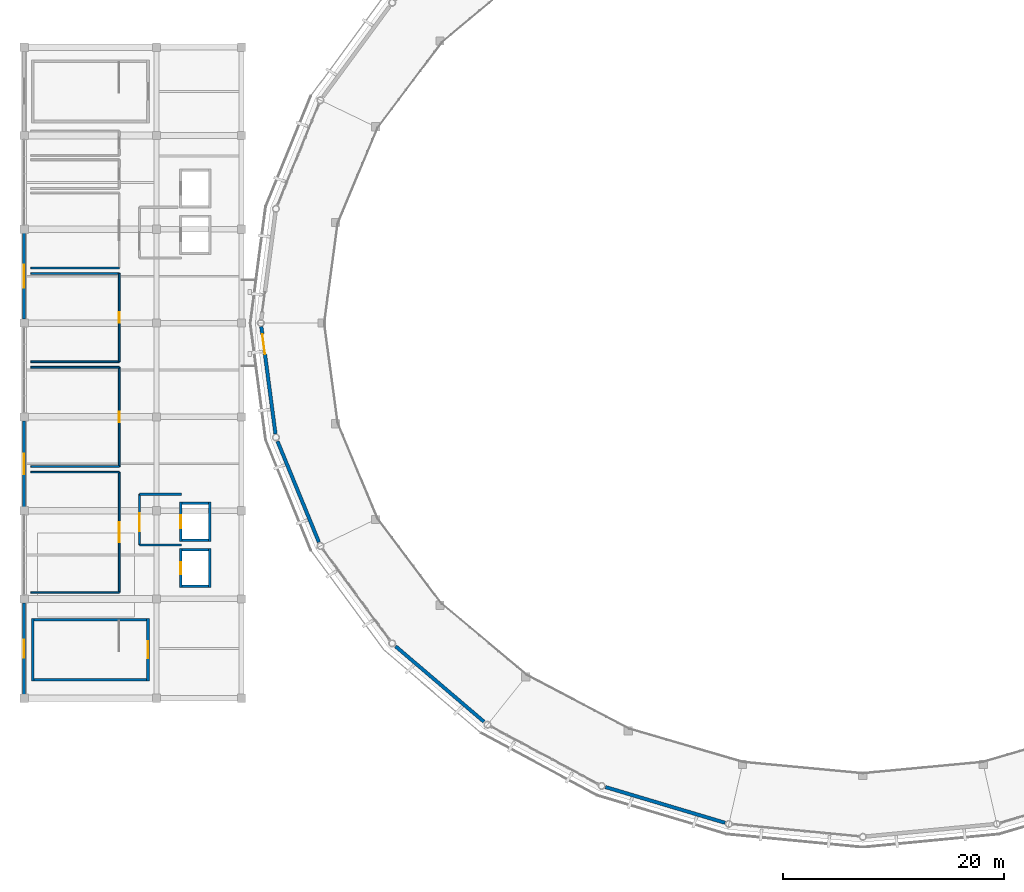
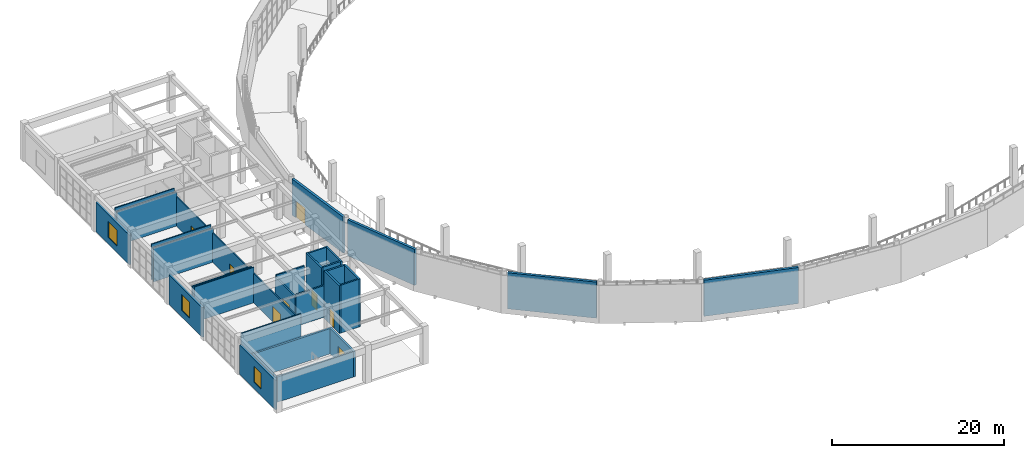
# One storey, part 30 of 40: 32 walls, 8 doors, 3 windows, 11 openings.
"""IFC4 building model written with IfcOpenShell, lengths in metres."""

from ifc_helpers import new_model, si_unit, direction, frame, frame_2d, origin, place, context, subcontext, project, spatial, rectangle, extrude, material, layer, layer_set, type_object, element, fill, save


model = new_model("IFC4")

# Units and contexts
model_context = context("Model", 3, precision=1e-05, world=origin(), true_north=direction((0.0, 1.0)))
body_context = subcontext(model_context, "Body", "Model", "MODEL_VIEW")
ifc_project = project(units=[si_unit("LENGTHUNIT", "METRE"), si_unit("AREAUNIT", "SQUARE_METRE"), si_unit("VOLUMEUNIT", "CUBIC_METRE"), si_unit("PLANEANGLEUNIT", "RADIAN"), si_unit("MASSUNIT", "GRAM", prefix="KILO")], contexts=[model_context])

# Site, building, storey
site_placement = place(None, origin())
site = spatial("IfcSite", under=ifc_project, at=site_placement, CompositionType="ELEMENT")
building_placement = place(site_placement, origin())
building = spatial("IfcBuilding", under=site, at=building_placement, Name="Cuetzalor Civic Arena", CompositionType="ELEMENT")
storey_placement = place(building_placement, frame((0.0, 0.0, 26.39990234375)))
storey = spatial("IfcBuildingStorey", under=building, at=storey_placement, Name="L05", CompositionType="ELEMENT", Elevation=26.39990234375)

# Walls
ifc_material_1 = material(Name="Acoustic steel-stud gypsum partition", Category="steel")
ifc_layer_1 = layer(ifc_material_1, 0.14990234375)
ifc_layer_set_1 = layer_set([ifc_layer_1], Name="Acoustic steel-stud gypsum partition")
wall_type_1 = type_object("IfcWallType", Name="AcousticGypsumPartition_150", PredefinedType="PARTITIONING", material=ifc_layer_set_1)
for number, where, z_axis, x_axis, name in (
    (1, (-75.39990234375, -13.5, 0.0), (0.0, 0.0, 1.0), (1.0, 0.0, 0.0), "Interior Partition IWALL:L05:0541"),
    (2, (-67.3798828125, -24.39990234375, 0.0), (0.0, 0.0, 1.0), (-1.0, 0.0, 0.0), "Interior Partition IWALL:L05:0542"),
):
    element("IfcWall", number, at=place(storey_placement, frame(where, z_axis=z_axis, x_axis=x_axis)), inside=storey, type_object=wall_type_1, Name=name, PredefinedType="PARTITIONING", context=body_context, shape_type="SweptSolid", body=[
        extrude(rectangle(XDim=8.02001953125, YDim=0.14990234375, at=frame_2d((4.010009765625, 0.0))), origin(), (0.0, 0.0, 1.0), 5.0400390625),
    ])

# Wall, opening, door
wall_1_placement = place(storey_placement, frame((-67.3798828125, -13.5, 0.0), z_axis=(0.0, 0.0, 1.0), x_axis=(0.0, -1.0, 0.0)))
wall_1 = element("IfcWall", 3, at=wall_1_placement, inside=storey, type_object=wall_type_1, Name="Interior Partition IWALL:L05:0543", PredefinedType="PARTITIONING", context=body_context, shape_type="SweptSolid", body=[
    extrude(rectangle(XDim=10.89990234375, YDim=0.14990234375, at=frame_2d((5.449951171875, 0.0))), origin(), (0.0, 0.0, 1.0), 4.205078125),
])
opening_1_placement = place(wall_1_placement, frame((4.550048828125, 0.0, 0.0)))
opening_1 = element("IfcOpeningElement", 4, at=opening_1_placement, cuts=wall_1, Name="Opening ID-06", PredefinedType="OPENING", context=body_context, shape_type="SweptSolid", body=[
    extrude(rectangle(XDim=1.800048828125, YDim=2.199951171875, at=frame_2d((0.89990234375, 1.10009765625))), frame((0.0, 0.0849609375, 0.0), z_axis=(0.0, -1.0, 0.0), x_axis=(1.0, 0.0, 0.0)), (0.0, 0.0, 1.0), 0.169921875),
])
ifc_material_2 = material(Name="Glazed bronze acoustic double door", Category="metal")
door_type_1 = type_object("IfcDoorType", Name="PublicDoubleDoor_1800x2200", OperationType="DOUBLE_DOOR_SINGLE_SWING", PredefinedType="DOOR", material=ifc_material_2)
door_1_placement = place(opening_1_placement, origin())
door_1 = element("IfcDoor", 5, at=door_1_placement, inside=storey, type_object=door_type_1, Name="Door to Media Workroom West L05", OperationType="DOUBLE_DOOR_SINGLE_SWING", OverallHeight=2.199951171875, OverallWidth=1.800048828125, PredefinedType="DOOR", context=body_context, shape_type="SweptSolid", body=[
    extrude(rectangle(XDim=1.800048828125, YDim=2.199951171875, at=frame_2d((0.89990234375, 1.10009765625))), frame((0.0, 0.02490234375, 0.0), z_axis=(0.0, -1.0, 0.0), x_axis=(1.0, 0.0, 0.0)), (0.0, 0.0, 1.0), 0.050048828125),
])
fill(opening_1, door_1)

# Walls
for number, where, z_axis, x_axis, name in (
    (6, (-75.39990234375, -4.0, 0.0), (0.0, 0.0, 1.0), (1.0, 0.0, 0.0), "Interior Partition IWALL:L05:0544"),
    (7, (-67.3798828125, -13.0, 0.0), (0.0, 0.0, 1.0), (-1.0, 0.0, 0.0), "Interior Partition IWALL:L05:0545"),
):
    element("IfcWall", number, at=place(storey_placement, frame(where, z_axis=z_axis, x_axis=x_axis)), inside=storey, type_object=wall_type_1, Name=name, PredefinedType="PARTITIONING", context=body_context, shape_type="SweptSolid", body=[
        extrude(rectangle(XDim=8.02001953125, YDim=0.14990234375, at=frame_2d((4.010009765625, 0.0))), origin(), (0.0, 0.0, 1.0), 4.842041015625),
    ])

# Wall, opening, door
wall_2_placement = place(storey_placement, frame((-67.3798828125, -4.0, 0.0), z_axis=(0.0, 0.0, 1.0), x_axis=(0.0, -1.0, 0.0)))
wall_2 = element("IfcWall", 8, at=wall_2_placement, inside=storey, type_object=wall_type_1, Name="Interior Partition IWALL:L05:0546", PredefinedType="PARTITIONING", context=body_context, shape_type="SweptSolid", body=[
    extrude(rectangle(XDim=9.0, YDim=0.14990234375, at=frame_2d((4.5, 0.0))), origin(), (0.0, 0.0, 1.0), 4.205078125),
])
opening_2_placement = place(wall_2_placement, frame((4.02490234375, 0.0, 0.0)))
opening_2 = element("IfcOpeningElement", 9, at=opening_2_placement, cuts=wall_2, Name="Opening ID-03", PredefinedType="OPENING", context=body_context, shape_type="SweptSolid", body=[
    extrude(rectangle(XDim=0.949951171875, YDim=2.14990234375, at=frame_2d((0.47509765625, 1.074951171875))), frame((0.0, 0.0849609375, 0.0), z_axis=(0.0, -1.0, 0.0), x_axis=(1.0, 0.0, 0.0)), (0.0, 0.0, 1.0), 0.169921875),
])
ifc_material_3 = material(Name="Painted steel frame and solid timber leaf", Category="steel")
door_type_2 = type_object("IfcDoorType", Name="InteriorSingleDoor_950x2150", OperationType="NOTDEFINED", PredefinedType="DOOR", material=ifc_material_3)
door_2_placement = place(opening_2_placement, origin())
door_2 = element("IfcDoor", 10, at=door_2_placement, inside=storey, type_object=door_type_2, Name="Door to Broadcast Studio West A L05", OperationType="SINGLE_SWING_LEFT", OverallHeight=2.14990234375, OverallWidth=0.949951171875, PredefinedType="DOOR", context=body_context, shape_type="SweptSolid", body=[
    extrude(rectangle(XDim=0.949951171875, YDim=2.14990234375, at=frame_2d((0.47509765625, 1.074951171875))), frame((0.0, 0.02490234375, 0.0), z_axis=(0.0, -1.0, 0.0), x_axis=(1.0, 0.0, 0.0)), (0.0, 0.0, 1.0), 0.050048828125),
])
fill(opening_2, door_2)

# Walls
wall_3_placement = place(storey_placement, frame((-75.39990234375, 4.5, 0.0), z_axis=(0.0, 0.0, 1.0), x_axis=(1.0, 0.0, 0.0)))
element("IfcWall", 11, at=wall_3_placement, inside=storey, type_object=wall_type_1, Name="Interior Partition IWALL:L05:0547", PredefinedType="PARTITIONING", context=body_context, shape_type="SweptSolid", body=[
    extrude(rectangle(XDim=8.02001953125, YDim=0.14990234375, at=frame_2d((4.010009765625, 0.0))), origin(), (0.0, 0.0, 1.0), 4.842041015625),
])
wall_4_placement = place(storey_placement, frame((-67.3798828125, -3.5, 0.0), z_axis=(0.0, 0.0, 1.0), x_axis=(-1.0, 0.0, 0.0)))
element("IfcWall", 12, at=wall_4_placement, inside=storey, type_object=wall_type_1, Name="Interior Partition IWALL:L05:0548", PredefinedType="PARTITIONING", context=body_context, shape_type="SweptSolid", body=[
    extrude(rectangle(XDim=8.02001953125, YDim=0.14990234375, at=frame_2d((4.010009765625, 0.0))), origin(), (0.0, 0.0, 1.0), 5.0400390625),
])

# Wall, opening, door
wall_5_placement = place(storey_placement, frame((-67.3798828125, 4.5, 0.0), z_axis=(0.0, 0.0, 1.0), x_axis=(0.0, -1.0, 0.0)))
wall_5 = element("IfcWall", 13, at=wall_5_placement, inside=storey, type_object=wall_type_1, Name="Interior Partition IWALL:L05:0549", PredefinedType="PARTITIONING", context=body_context, shape_type="SweptSolid", body=[
    extrude(rectangle(XDim=8.0, YDim=0.14990234375, at=frame_2d((4.0, 0.0))), origin(), (0.0, 0.0, 1.0), 4.205078125),
])
opening_3_placement = place(wall_5_placement, frame((3.52490234375, 0.0, 0.0)))
opening_3 = element("IfcOpeningElement", 14, at=opening_3_placement, cuts=wall_5, Name="Opening ID-03", PredefinedType="OPENING", context=body_context, shape_type="SweptSolid", body=[
    extrude(rectangle(XDim=0.949951171875, YDim=2.14990234375, at=frame_2d((0.47509765625, 1.074951171875))), frame((0.0, 0.0849609375, 0.0), z_axis=(0.0, -1.0, 0.0), x_axis=(1.0, 0.0, 0.0)), (0.0, 0.0, 1.0), 0.169921875),
])
door_3_placement = place(opening_3_placement, origin())
door_3 = element("IfcDoor", 15, at=door_3_placement, inside=storey, type_object=door_type_2, Name="Door to Broadcast Studio West B L05", OperationType="SINGLE_SWING_RIGHT", OverallHeight=2.14990234375, OverallWidth=0.949951171875, PredefinedType="DOOR", context=body_context, shape_type="SweptSolid", body=[
    extrude(rectangle(XDim=0.949951171875, YDim=2.14990234375, at=frame_2d((0.47509765625, 1.074951171875))), frame((0.0, 0.02490234375, 0.0), z_axis=(0.0, -1.0, 0.0), x_axis=(1.0, 0.0, 0.0)), (0.0, 0.0, 1.0), 0.050048828125),
])
fill(opening_3, door_3)

# Walls
wall_6_placement = place(storey_placement, frame((-67.3798828125, 5.0, 0.0), z_axis=(0.0, 0.0, 1.0), x_axis=(-1.0, 0.0, 0.0)))
element("IfcWall", 16, at=wall_6_placement, inside=storey, type_object=wall_type_1, Name="Interior Partition IWALL:L05:0551", PredefinedType="PARTITIONING", context=body_context, shape_type="SweptSolid", body=[
    extrude(rectangle(XDim=8.02001953125, YDim=0.14990234375, at=frame_2d((4.010009765625, 0.0))), origin(), (0.0, 0.0, 1.0), 5.0400390625),
])
ifc_material_4 = material(Name="Concrete C40/50", Category="concrete")
ifc_layer_2 = layer(ifc_material_4, 0.25)
ifc_layer_set_2 = layer_set([ifc_layer_2], Name="Concrete C40/50")
wall_type_2 = type_object("IfcWallType", Name="ConcreteCoreShearWall_250", PredefinedType="SHEAR", material=ifc_layer_set_2)
wall_7_placement = place(storey_placement, frame((-75.22509765625, -32.449951171875, 0.0), z_axis=(0.0, 0.0, 1.0), x_axis=(0.0, 1.0, 0.0)))
element("IfcWall", 17, at=wall_7_placement, inside=storey, type_object=wall_type_2, Name="Stair Core Shear Wall ST-16-L05-W", PredefinedType="SHEAR", context=body_context, shape_type="SweptSolid", body=[
    extrude(rectangle(XDim=5.699951171875, YDim=0.25, at=frame_2d((2.85009765625, 0.0))), origin(), (0.0, 0.0, 1.0), 3.60009765625),
])
wall_8_placement = place(storey_placement, frame((-75.10009765625, -26.875, 0.0), z_axis=(0.0, 0.0, 1.0), x_axis=(1.0, 0.0, 0.0)))
element("IfcWall", 18, at=wall_8_placement, inside=storey, type_object=wall_type_2, Name="Stair Core Shear Wall ST-16-L05-N", PredefinedType="SHEAR", context=body_context, shape_type="SweptSolid", body=[
    extrude(rectangle(XDim=10.2001953125, YDim=0.25, at=frame_2d((5.10009765625, 0.0))), origin(), (0.0, 0.0, 1.0), 3.60009765625),
])

# Wall, opening, door
wall_9_placement = place(storey_placement, frame((-64.77490234375, -26.75, 0.0), z_axis=(0.0, 0.0, 1.0), x_axis=(0.0, -1.0, 0.0)))
wall_9 = element("IfcWall", 19, at=wall_9_placement, inside=storey, type_object=wall_type_2, Name="Stair Core Shear Wall ST-16-L05-E", PredefinedType="SHEAR", context=body_context, shape_type="SweptSolid", body=[
    extrude(rectangle(XDim=5.699951171875, YDim=0.25, at=frame_2d((2.85009765625, 0.0))), origin(), (0.0, 0.0, 1.0), 3.60009765625),
])
opening_4_placement = place(wall_9_placement, frame((2.10009765625, 0.0, 0.0)))
opening_4 = element("IfcOpeningElement", 20, at=opening_4_placement, cuts=wall_9, Name="Opening FD-03", PredefinedType="OPENING", context=body_context, shape_type="SweptSolid", body=[
    extrude(rectangle(XDim=1.5, YDim=2.199951171875, at=frame_2d((0.75, 1.10009765625))), frame((0.0, 0.135009765625, 0.0), z_axis=(0.0, -1.0, 0.0), x_axis=(1.0, 0.0, 0.0)), (0.0, 0.0, 1.0), 0.27001953125),
])
ifc_material_5 = material(Name="Fire-rated steel stair exit double door", Category="steel")
door_type_3 = type_object("IfcDoorType", Name="StairFireDoubleDoor_1500x2200", OperationType="DOUBLE_DOOR_SINGLE_SWING", PredefinedType="DOOR", material=ifc_material_5)
door_4_placement = place(opening_4_placement, origin())
door_4 = element("IfcDoor", 21, at=door_4_placement, inside=storey, type_object=door_type_3, Name="Fire Stair Door ST-16 L05", OperationType="DOUBLE_DOOR_SINGLE_SWING", OverallHeight=2.199951171875, OverallWidth=1.5, PredefinedType="DOOR", context=body_context, shape_type="SweptSolid", body=[
    extrude(rectangle(XDim=1.5, YDim=2.199951171875, at=frame_2d((0.75, 1.10009765625))), frame((0.0, 0.02490234375, 0.0), z_axis=(0.0, -1.0, 0.0), x_axis=(1.0, 0.0, 0.0)), (0.0, 0.0, 1.0), 0.050048828125),
])
fill(opening_4, door_4)

# Wall
wall_10_placement = place(storey_placement, frame((-64.89990234375, -32.324951171875, 0.0), z_axis=(0.0, 0.0, 1.0), x_axis=(-1.0, 0.0, 0.0)))
element("IfcWall", 22, at=wall_10_placement, inside=storey, type_object=wall_type_2, Name="Stair Core Shear Wall ST-16-L05-S", PredefinedType="SHEAR", context=body_context, shape_type="SweptSolid", body=[
    extrude(rectangle(XDim=10.2001953125, YDim=0.25, at=frame_2d((5.10009765625, 0.0))), origin(), (0.0, 0.0, 1.0), 3.60009765625),
])

# Wall, opening, door
ifc_material_6 = material(Name="Fire-rated masonry and gypsum partition", Category="masonry")
ifc_layer_3 = layer(ifc_material_6, 0.199951171875)
ifc_layer_set_3 = layer_set([ifc_layer_3], Name="Fire-rated masonry and gypsum partition")
wall_type_3 = type_object("IfcWallType", Name="FireCompartmentWall_200", PredefinedType="PARTITIONING", material=ifc_layer_set_3)
wall_11_placement = place(storey_placement, frame((-65.550048828125, -20.10009765625, 0.0), z_axis=(0.0, 0.0, 1.0), x_axis=(0.0, 1.0, 0.0)))
wall_11 = element("IfcWall", 23, at=wall_11_placement, inside=storey, type_object=wall_type_3, Name="Interior Partition IWALL:L05:0016", PredefinedType="PARTITIONING", context=body_context, shape_type="SweptSolid", body=[
    extrude(rectangle(XDim=4.60009765625, YDim=0.199951171875, at=frame_2d((2.300048828125, 0.0))), origin(), (0.0, 0.0, 1.0), 4.205078125),
])
opening_5_placement = place(wall_11_placement, frame((1.25, 0.0, 0.0)))
opening_5 = element("IfcOpeningElement", 24, at=opening_5_placement, cuts=wall_11, Name="Opening FD-05", PredefinedType="OPENING", context=body_context, shape_type="SweptSolid", body=[
    extrude(rectangle(XDim=1.60009765625, YDim=2.199951171875, at=frame_2d((0.800048828125, 1.10009765625))), frame((0.0, 0.10986328125, 0.0), z_axis=(0.0, -1.0, 0.0), x_axis=(1.0, 0.0, 0.0)), (0.0, 0.0, 1.0), 0.219970703125),
])
ifc_material_7 = material(Name="Fire-rated smoke-seal lobby double door", Category="steel")
door_type_4 = type_object("IfcDoorType", Name="FireLobbyDoubleDoor_1600x2200", OperationType="DOUBLE_DOOR_SINGLE_SWING", PredefinedType="DOOR", material=ifc_material_7)
door_5_placement = place(opening_5_placement, origin())
door_5 = element("IfcDoor", 25, at=door_5_placement, inside=storey, type_object=door_type_4, Name="Door to Firefighting Lift Lobby LF-01 L05", OperationType="DOUBLE_DOOR_SINGLE_SWING", OverallHeight=2.199951171875, OverallWidth=1.60009765625, PredefinedType="DOOR", context=body_context, shape_type="SweptSolid", body=[
    extrude(rectangle(XDim=1.60009765625, YDim=2.199951171875, at=frame_2d((0.800048828125, 1.10009765625))), frame((0.0, 0.02490234375, 0.0), z_axis=(0.0, -1.0, 0.0), x_axis=(1.0, 0.0, 0.0)), (0.0, 0.0, 1.0), 0.050048828125),
])
fill(opening_5, door_5)

# Walls
for number, where, z_axis, x_axis, name in (
    (26, (-65.550048828125, -15.5, 0.0), (0.0, 0.0, 1.0), (1.0, 0.0, 0.0), "Interior Partition IWALL:L05:0017"),
    (27, (-61.75, -20.10009765625, 0.0), (0.0, 0.0, 1.0), (-1.0, 0.0, 0.0), "Interior Partition IWALL:L05:0018"),
):
    element("IfcWall", number, at=place(storey_placement, frame(where, z_axis=z_axis, x_axis=x_axis)), inside=storey, type_object=wall_type_3, Name=name, PredefinedType="PARTITIONING", context=body_context, shape_type="SweptSolid", body=[
        extrude(rectangle(XDim=3.800048828125, YDim=0.199951171875, at=frame_2d((1.89990234375, 0.0))), origin(), (0.0, 0.0, 1.0), 4.505126953125),
    ])

# Wall, opening, door
ifc_material_8 = material(Name="Precast concrete C40/50 insulated cladding", Category="concrete")
ifc_layer_4 = layer(ifc_material_8, 0.320068359375)
ifc_layer_set_4 = layer_set([ifc_layer_4], Name="Precast concrete C40/50 insulated cladding")
wall_type_4 = type_object("IfcWallType", Name="InsulatedPrecastWall_320", PredefinedType="SOLIDWALL", material=ifc_layer_set_4)
wall_12_placement = place(storey_placement, frame((-53.224853515625, -10.036865234375, 0.0), z_axis=(0.0, 0.0, 1.0), x_axis=(-0.130894016981, 0.991396366908, 0.0)))
wall_12 = element("IfcWall", 28, at=wall_12_placement, inside=storey, type_object=wall_type_4, Name="Drum Acoustic Backing Wall L05-081", PredefinedType="SOLIDWALL", context=body_context, shape_type="SweptSolid", body=[
    extrude(rectangle(XDim=9.799560546875, YDim=0.320068359375, at=frame_2d((4.89990234375, 0.0))), origin(), (0.0, 0.0, 1.0), 5.135986328125),
])
opening_6_placement = place(wall_12_placement, frame((7.299560546875, 0.0, 0.0)))
opening_6 = element("IfcOpeningElement", 29, at=opening_6_placement, cuts=wall_12, Name="Opening ED-09", PredefinedType="OPENING", context=body_context, shape_type="SweptSolid", body=[
    extrude(rectangle(XDim=1.800048828125, YDim=2.39990234375, at=frame_2d((0.89990234375, 1.199951171875))), frame((0.0, 0.169921875, 0.0), z_axis=(0.0, -1.0, 0.0), x_axis=(1.0, 0.0, 0.0)), (0.0, 0.0, 1.0), 0.340087890625),
])
ifc_material_9 = material(Name="Thermally broken bronze steel and laminated glass", Category="steel")
door_type_5 = type_object("IfcDoorType", Name="RoofGardenGlazedDoor_1800x2400", OperationType="DOUBLE_DOOR_SINGLE_SWING", PredefinedType="DOOR", material=ifc_material_9)
door_6_placement = place(opening_6_placement, origin())
door_6 = element("IfcDoor", 30, at=door_6_placement, inside=storey, type_object=door_type_5, Name="Seismic Bridge Circulation Door L05-S15", OperationType="DOUBLE_DOOR_SINGLE_SWING", OverallHeight=2.39990234375, OverallWidth=1.800048828125, PredefinedType="DOOR", context=body_context, shape_type="SweptSolid", body=[
    extrude(rectangle(XDim=1.800048828125, YDim=2.39990234375, at=frame_2d((0.89990234375, 1.199951171875))), frame((0.0, 0.02490234375, 0.0), z_axis=(0.0, -1.0, 0.0), x_axis=(1.0, 0.0, 0.0)), (0.0, 0.0, 1.0), 0.050048828125),
])
fill(opening_6, door_6)

# Walls
wall_13_placement = place(storey_placement, frame((-49.2919921875, -19.845703125, 0.0), z_axis=(0.0, 0.0, 1.0), x_axis=(-0.379382703047, 0.925239841678, 0.0)))
element("IfcWall", 31, at=wall_13_placement, inside=storey, type_object=wall_type_4, Name="Drum Acoustic Backing Wall L05-082", PredefinedType="SOLIDWALL", context=body_context, shape_type="SweptSolid", body=[
    extrude(rectangle(XDim=9.874267578125, YDim=0.320068359375, at=frame_2d((4.93701171875, 0.0))), origin(), (0.0, 0.0, 1.0), 5.135986328125),
])
wall_14_placement = place(storey_placement, frame((-34.32470703125, -36.126953125, 0.0), z_axis=(0.0, 0.0, 1.0), x_axis=(-0.760681761173, 0.649124994296, 0.0)))
element("IfcWall", 32, at=wall_14_placement, inside=storey, type_object=wall_type_4, Name="Drum Acoustic Backing Wall L05-083", PredefinedType="SOLIDWALL", context=body_context, shape_type="SweptSolid", body=[
    extrude(rectangle(XDim=10.531005859375, YDim=0.320068359375, at=frame_2d((5.265625, 0.0))), origin(), (0.0, 0.0, 1.0), 5.135986328125),
])
wall_15_placement = place(storey_placement, frame((-12.48486328125, -45.279541015625, 0.0), z_axis=(0.0, 0.0, 1.0), x_axis=(-0.958192076012, 0.286125751144, 0.0)))
element("IfcWall", 33, at=wall_15_placement, inside=storey, type_object=wall_type_4, Name="Drum Acoustic Backing Wall L05-084", PredefinedType="SOLIDWALL", context=body_context, shape_type="SweptSolid", body=[
    extrude(rectangle(XDim=11.31005859375, YDim=0.320068359375, at=frame_2d((5.655029296875, 0.0))), origin(), (0.0, 0.0, 1.0), 5.135986328125),
])

# Wall, opening, door
ifc_material_10 = material(Name="Concrete C40/50", Category="concrete")
ifc_layer_5 = layer(ifc_material_10, 0.219970703125)
ifc_layer_set_5 = layer_set([ifc_layer_5], Name="Concrete C40/50")
wall_type_5 = type_object("IfcWallType", Name="LiftShaftShearWall_220", PredefinedType="SHEAR", material=ifc_layer_set_5)
wall_16_placement = place(storey_placement, frame((-61.81005859375, -19.77001953125, 0.0), z_axis=(0.0, 0.0, 1.0), x_axis=(0.0, 1.0, 0.0)))
wall_16 = element("IfcWall", 34, at=wall_16_placement, inside=storey, type_object=wall_type_5, Name="Lift Shaft Wall LF-01-L05-W", PredefinedType="SHEAR", context=body_context, shape_type="SweptSolid", body=[
    extrude(rectangle(XDim=3.5400390625, YDim=0.219970703125, at=frame_2d((1.77001953125, 0.0))), origin(), (0.0, 0.0, 1.0), 6.800048828125),
])
opening_7_placement = place(wall_16_placement, frame((1.169921875, 0.0, 0.0)))
opening_7 = element("IfcOpeningElement", 35, at=opening_7_placement, cuts=wall_16, Name="Opening LD-02", PredefinedType="OPENING", context=body_context, shape_type="SweptSolid", body=[
    extrude(rectangle(XDim=1.199951171875, YDim=2.199951171875, at=frame_2d((0.60009765625, 1.10009765625))), frame((0.0, 0.1201171875, 0.0), z_axis=(0.0, -1.0, 0.0), x_axis=(1.0, 0.0, 0.0)), (0.0, 0.0, 1.0), 0.239990234375),
])
ifc_material_11 = material(Name="Fire-rated stainless steel sliding lift landing door", Category="steel")
door_type_6 = type_object("IfcDoorType", Name="LiftLandingSlidingDoor_1200x2200", OperationType="SLIDING_TO_LEFT", PredefinedType="DOOR", material=ifc_material_11)
door_7_placement = place(opening_7_placement, origin())
door_7 = element("IfcDoor", 36, at=door_7_placement, inside=storey, type_object=door_type_6, Name="Lift Landing Sliding Door LF-01 L05", OperationType="SLIDING_TO_LEFT", OverallHeight=2.199951171875, OverallWidth=1.199951171875, PredefinedType="DOOR", context=body_context, shape_type="SweptSolid", body=[
    extrude(rectangle(XDim=1.199951171875, YDim=2.199951171875, at=frame_2d((0.60009765625, 1.10009765625))), frame((0.0, 0.02490234375, 0.0), z_axis=(0.0, -1.0, 0.0), x_axis=(1.0, 0.0, 0.0)), (0.0, 0.0, 1.0), 0.050048828125),
])
fill(opening_7, door_7)

# Walls
wall_17_placement = place(storey_placement, frame((-61.699951171875, -16.340087890625, 0.0), z_axis=(0.0, 0.0, 1.0), x_axis=(1.0, 0.0, 0.0)))
element("IfcWall", 37, at=wall_17_placement, inside=storey, type_object=wall_type_5, Name="Lift Shaft Wall LF-01-L05-N", PredefinedType="SHEAR", context=body_context, shape_type="SweptSolid", body=[
    extrude(rectangle(XDim=2.39990234375, YDim=0.219970703125, at=frame_2d((1.199951171875, 0.0))), origin(), (0.0, 0.0, 1.0), 6.800048828125),
])
wall_18_placement = place(storey_placement, frame((-59.18994140625, -16.22998046875, 0.0), z_axis=(0.0, 0.0, 1.0), x_axis=(0.0, -1.0, 0.0)))
element("IfcWall", 38, at=wall_18_placement, inside=storey, type_object=wall_type_5, Name="Lift Shaft Wall LF-01-L05-E", PredefinedType="SHEAR", context=body_context, shape_type="SweptSolid", body=[
    extrude(rectangle(XDim=3.5400390625, YDim=0.219970703125, at=frame_2d((1.77001953125, 0.0))), origin(), (0.0, 0.0, 1.0), 6.800048828125),
])
wall_19_placement = place(storey_placement, frame((-59.300048828125, -19.659912109375, 0.0), z_axis=(0.0, 0.0, 1.0), x_axis=(-1.0, 0.0, 0.0)))
element("IfcWall", 39, at=wall_19_placement, inside=storey, type_object=wall_type_5, Name="Lift Shaft Wall LF-01-L05-S", PredefinedType="SHEAR", context=body_context, shape_type="SweptSolid", body=[
    extrude(rectangle(XDim=2.39990234375, YDim=0.219970703125, at=frame_2d((1.199951171875, 0.0))), origin(), (0.0, 0.0, 1.0), 6.800048828125),
])

# Wall, opening, door
wall_20_placement = place(storey_placement, frame((-61.81005859375, -23.969970703125, 0.0), z_axis=(0.0, 0.0, 1.0), x_axis=(0.0, 1.0, 0.0)))
wall_20 = element("IfcWall", 40, at=wall_20_placement, inside=storey, type_object=wall_type_5, Name="Lift Shaft Wall LP-03-L05-W", PredefinedType="SHEAR", context=body_context, shape_type="SweptSolid", body=[
    extrude(rectangle(XDim=3.5400390625, YDim=0.219970703125, at=frame_2d((1.77001953125, 0.0))), origin(), (0.0, 0.0, 1.0), 6.800048828125),
])
opening_8_placement = place(wall_20_placement, frame((1.219970703125, 0.0, 0.0)))
opening_8 = element("IfcOpeningElement", 41, at=opening_8_placement, cuts=wall_20, Name="Opening LD-01", PredefinedType="OPENING", context=body_context, shape_type="SweptSolid", body=[
    extrude(rectangle(XDim=1.10009765625, YDim=2.199951171875, at=frame_2d((0.550048828125, 1.10009765625))), frame((0.0, 0.1201171875, 0.0), z_axis=(0.0, -1.0, 0.0), x_axis=(1.0, 0.0, 0.0)), (0.0, 0.0, 1.0), 0.239990234375),
])
ifc_material_12 = material(Name="Brushed stainless steel sliding lift landing door", Category="steel")
door_type_7 = type_object("IfcDoorType", Name="LiftLandingSlidingDoor_1100x2200", OperationType="SLIDING_TO_LEFT", PredefinedType="DOOR", material=ifc_material_12)
door_8_placement = place(opening_8_placement, origin())
door_8 = element("IfcDoor", 42, at=door_8_placement, inside=storey, type_object=door_type_7, Name="Lift Landing Sliding Door LP-03 L05", OperationType="SLIDING_TO_LEFT", OverallHeight=2.199951171875, OverallWidth=1.10009765625, PredefinedType="DOOR", context=body_context, shape_type="SweptSolid", body=[
    extrude(rectangle(XDim=1.10009765625, YDim=2.199951171875, at=frame_2d((0.550048828125, 1.10009765625))), frame((0.0, 0.02490234375, 0.0), z_axis=(0.0, -1.0, 0.0), x_axis=(1.0, 0.0, 0.0)), (0.0, 0.0, 1.0), 0.050048828125),
])
fill(opening_8, door_8)

# Walls
wall_21_placement = place(storey_placement, frame((-61.699951171875, -20.5400390625, 0.0), z_axis=(0.0, 0.0, 1.0), x_axis=(1.0, 0.0, 0.0)))
element("IfcWall", 43, at=wall_21_placement, inside=storey, type_object=wall_type_5, Name="Lift Shaft Wall LP-03-L05-N", PredefinedType="SHEAR", context=body_context, shape_type="SweptSolid", body=[
    extrude(rectangle(XDim=2.39990234375, YDim=0.219970703125, at=frame_2d((1.199951171875, 0.0))), origin(), (0.0, 0.0, 1.0), 6.800048828125),
])
wall_22_placement = place(storey_placement, frame((-59.18994140625, -20.429931640625, 0.0), z_axis=(0.0, 0.0, 1.0), x_axis=(0.0, -1.0, 0.0)))
element("IfcWall", 44, at=wall_22_placement, inside=storey, type_object=wall_type_5, Name="Lift Shaft Wall LP-03-L05-E", PredefinedType="SHEAR", context=body_context, shape_type="SweptSolid", body=[
    extrude(rectangle(XDim=3.5400390625, YDim=0.219970703125, at=frame_2d((1.77001953125, 0.0))), origin(), (0.0, 0.0, 1.0), 6.800048828125),
])
wall_23_placement = place(storey_placement, frame((-59.300048828125, -23.860107421875, 0.0), z_axis=(0.0, 0.0, 1.0), x_axis=(-1.0, 0.0, 0.0)))
element("IfcWall", 45, at=wall_23_placement, inside=storey, type_object=wall_type_5, Name="Lift Shaft Wall LP-03-L05-S", PredefinedType="SHEAR", context=body_context, shape_type="SweptSolid", body=[
    extrude(rectangle(XDim=2.39990234375, YDim=0.219970703125, at=frame_2d((1.199951171875, 0.0))), origin(), (0.0, 0.0, 1.0), 6.800048828125),
])

# Wall, opening, window
ifc_material_13 = material(Name="Insulated bronze aluminium panel wall", Category="aluminium")
ifc_layer_6 = layer(ifc_material_13, 0.260009765625)
ifc_layer_set_6 = layer_set([ifc_layer_6], Name="Insulated bronze aluminium panel wall")
wall_type_6 = type_object("IfcWallType", Name="MediaClerestoryWall_260", PredefinedType="SOLIDWALL", material=ifc_layer_set_6)
wall_24_placement = place(storey_placement, frame((-76.0, -33.64306640625, 0.0), z_axis=(0.0, 0.0, 1.0), x_axis=(0.0, 1.0, 0.0)))
wall_24 = element("IfcWall", 46, at=wall_24_placement, inside=storey, type_object=wall_type_6, Name="V4W Media Envelope Wall L05-145", PredefinedType="SOLIDWALL", context=body_context, shape_type="SweptSolid", body=[
    extrude(rectangle(XDim=8.2861328125, YDim=0.260009765625, at=frame_2d((4.14306640625, 0.0))), origin(), (0.0, 0.0, 1.0), 4.22021484375),
])
opening_9_placement = place(wall_24_placement, frame((3.318115234375, 0.0, 0.949951171875)))
opening_9 = element("IfcOpeningElement", 47, at=opening_9_placement, cuts=wall_24, Name="Opening WN-40", PredefinedType="OPENING", context=body_context, shape_type="SweptSolid", body=[
    extrude(rectangle(XDim=1.64990234375, YDim=2.25, at=frame_2d((0.824951171875, 1.125))), frame((0.0, 0.14013671875, 0.0), z_axis=(0.0, -1.0, 0.0), x_axis=(1.0, 0.0, 0.0)), (0.0, 0.0, 1.0), 0.280029296875),
])
ifc_material_14 = material(Name="Anodised bronze aluminium and low-E solar glass", Category="aluminium")
window_type_1 = type_object("IfcWindowType", Name="BronzeThermalWindow_1650x2250", PartitioningType="SINGLE_PANEL", PredefinedType="WINDOW", material=ifc_material_14)
window_1_placement = place(opening_9_placement, origin())
window_1 = element("IfcWindow", 48, at=window_1_placement, inside=storey, type_object=window_type_1, Name="Media Studio Window L05-0040", OverallHeight=2.25, OverallWidth=1.64990234375, PartitioningType="SINGLE_PANEL", PredefinedType="WINDOW", context=body_context, shape_type="SweptSolid", body=[
    extrude(rectangle(XDim=1.64990234375, YDim=2.25, at=frame_2d((0.824951171875, 1.125))), frame((0.0, 0.030029296875, 0.0), z_axis=(0.0, -1.0, 0.0), x_axis=(1.0, 0.0, 0.0)), (0.0, 0.0, 1.0), 0.06005859375),
])
fill(opening_9, window_1)

wall_25_placement = place(storey_placement, frame((-76.0, -16.64306640625, 0.0), z_axis=(0.0, 0.0, 1.0), x_axis=(0.0, 1.0, 0.0)))
wall_25 = element("IfcWall", 49, at=wall_25_placement, inside=storey, type_object=wall_type_6, Name="V4W Media Envelope Wall L05-146", PredefinedType="SOLIDWALL", context=body_context, shape_type="SweptSolid", body=[
    extrude(rectangle(XDim=7.7861328125, YDim=0.260009765625, at=frame_2d((3.89306640625, 0.0))), origin(), (0.0, 0.0, 1.0), 4.22021484375),
])
opening_10_placement = place(wall_25_placement, frame((2.968017578125, 0.0, 0.949951171875)))
opening_10 = element("IfcOpeningElement", 50, at=opening_10_placement, cuts=wall_25, Name="Opening WN-41", PredefinedType="OPENING", context=body_context, shape_type="SweptSolid", body=[
    extrude(rectangle(XDim=1.85009765625, YDim=2.25, at=frame_2d((0.925048828125, 1.125))), frame((0.0, 0.14013671875, 0.0), z_axis=(0.0, -1.0, 0.0), x_axis=(1.0, 0.0, 0.0)), (0.0, 0.0, 1.0), 0.280029296875),
])
ifc_material_15 = material(Name="Anodised bronze aluminium and low-E solar glass", Category="aluminium")
window_type_2 = type_object("IfcWindowType", Name="BronzeThermalWindow_1850x2250", PartitioningType="SINGLE_PANEL", PredefinedType="WINDOW", material=ifc_material_15)
window_2_placement = place(opening_10_placement, origin())
window_2 = element("IfcWindow", 51, at=window_2_placement, inside=storey, type_object=window_type_2, Name="Media Studio Window L05-0041", OverallHeight=2.25, OverallWidth=1.85009765625, PartitioningType="SINGLE_PANEL", PredefinedType="WINDOW", context=body_context, shape_type="SweptSolid", body=[
    extrude(rectangle(XDim=1.85009765625, YDim=2.25, at=frame_2d((0.925048828125, 1.125))), frame((0.0, 0.030029296875, 0.0), z_axis=(0.0, -1.0, 0.0), x_axis=(1.0, 0.0, 0.0)), (0.0, 0.0, 1.0), 0.06005859375),
])
fill(opening_10, window_2)

wall_26_placement = place(storey_placement, frame((-76.0, 0.35693359375, 0.0), z_axis=(0.0, 0.0, 1.0), x_axis=(0.0, 1.0, 0.0)))
wall_26 = element("IfcWall", 52, at=wall_26_placement, inside=storey, type_object=wall_type_6, Name="V4W Media Envelope Wall L05-147", PredefinedType="SOLIDWALL", context=body_context, shape_type="SweptSolid", body=[
    extrude(rectangle(XDim=7.7861328125, YDim=0.260009765625, at=frame_2d((3.89306640625, 0.0))), origin(), (0.0, 0.0, 1.0), 4.22021484375),
])
opening_11_placement = place(wall_26_placement, frame((2.867919921875, 0.0, 0.949951171875)))
opening_11 = element("IfcOpeningElement", 53, at=opening_11_placement, cuts=wall_26, Name="Opening WN-42", PredefinedType="OPENING", context=body_context, shape_type="SweptSolid", body=[
    extrude(rectangle(XDim=2.050048828125, YDim=2.25, at=frame_2d((1.02490234375, 1.125))), frame((0.0, 0.14013671875, 0.0), z_axis=(0.0, -1.0, 0.0), x_axis=(1.0, 0.0, 0.0)), (0.0, 0.0, 1.0), 0.280029296875),
])
ifc_material_16 = material(Name="Anodised bronze aluminium and low-E solar glass", Category="aluminium")
window_type_3 = type_object("IfcWindowType", Name="BronzeThermalWindow_2050x2250", PartitioningType="DOUBLE_PANEL_VERTICAL", PredefinedType="WINDOW", material=ifc_material_16)
window_3_placement = place(opening_11_placement, origin())
window_3 = element("IfcWindow", 54, at=window_3_placement, inside=storey, type_object=window_type_3, Name="Media Studio Window L05-0042", OverallHeight=2.25, OverallWidth=2.050048828125, PartitioningType="SINGLE_PANEL", PredefinedType="WINDOW", context=body_context, shape_type="SweptSolid", body=[
    extrude(rectangle(XDim=2.050048828125, YDim=2.25, at=frame_2d((1.02490234375, 1.125))), frame((0.0, 0.030029296875, 0.0), z_axis=(0.0, -1.0, 0.0), x_axis=(1.0, 0.0, 0.0)), (0.0, 0.0, 1.0), 0.06005859375),
])
fill(opening_11, window_3)

save(model, "model.ifc")
